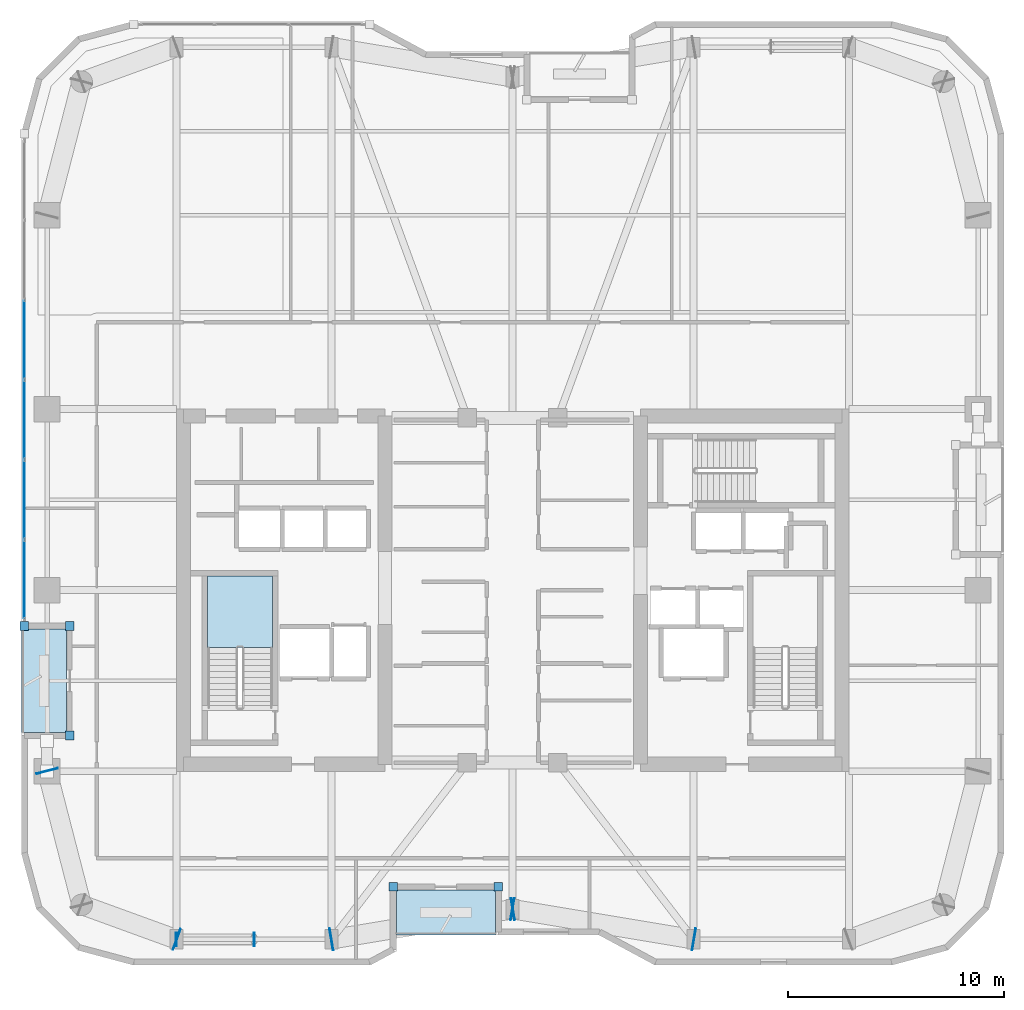
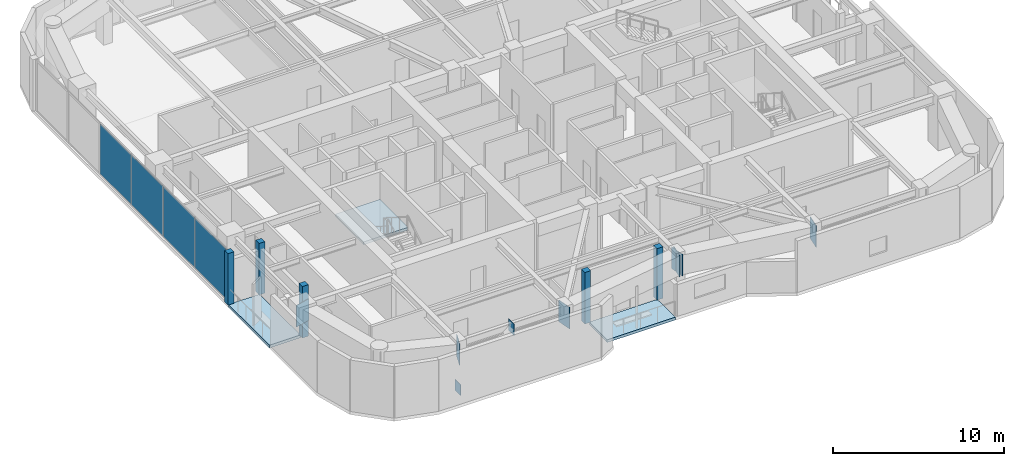
# One storey, part 12 of 21: 17 plates, 3 slabs, 2 elements without a shape of their own.
"""IFC4 building model written with IfcOpenShell, lengths in metres."""

from ifc_helpers import new_model, si_unit, direction, frame, origin, origin_2d, place, context, subcontext, project, spatial, polyline, rectangle, outline, extrude, material, layer, layer_set, type_object, element, aggregate, save


model = new_model("IFC4")

# Units and contexts
model_context = context("Model", 3, precision=1e-05, world=origin(), true_north=direction((0.0, 1.0)))
body_context = subcontext(model_context, "Body", "Model", "MODEL_VIEW")
ifc_project = project(units=[si_unit("LENGTHUNIT", "METRE"), si_unit("AREAUNIT", "SQUARE_METRE"), si_unit("VOLUMEUNIT", "CUBIC_METRE"), si_unit("PLANEANGLEUNIT", "RADIAN"), si_unit("MASSUNIT", "GRAM", prefix="KILO")], contexts=[model_context])

# Site, building, storey
site_placement = place(None, origin())
site = spatial("IfcSite", under=ifc_project, at=site_placement, CompositionType="ELEMENT")
building_placement = place(site_placement, origin())
building = spatial("IfcBuilding", under=site, at=building_placement, Name="Kiyonajd Concourse Tower", CompositionType="ELEMENT")
storey_placement = place(building_placement, frame((0.0, 0.0, 219.300048828125)))
storey = spatial("IfcBuildingStorey", under=building, at=storey_placement, Name="L55", CompositionType="ELEMENT", Elevation=219.300048828125)

# Plates
ifc_material_1 = material(Name="Steel ASTM A572 Grade 50", Category="steel")
ifc_layer_1 = layer(ifc_material_1, 0.028076171875)
ifc_layer_set_1 = layer_set([ifc_layer_1], Name="Steel ASTM A572 Grade 50")
plate_type_1 = type_object("IfcPlateType", Name="PL-CAP-450", PredefinedType="USERDEFINED", material=ifc_layer_set_1)
for number, where, z_axis, x_axis, name in (
    (1, (32.3916015625, 19.800048828125, -0.10888671875), (0.0, 0.0, 1.0), (-1.0, 0.0, 0.0), "L55 Hollow Brace End Cap Plate PBS"),
    (2, (36.00830078125, 19.800048828125, 2.93505859375), (0.0, 0.0, 1.0), (1.0, 0.0, 0.0), "L55 Hollow Brace Top Cap Plate PBS"),
):
    element("IfcPlate", number, at=place(storey_placement, frame(where, z_axis=z_axis, x_axis=x_axis)), inside=storey, type_object=plate_type_1, Name=name, ObjectType="CAP PLATE", PredefinedType="USERDEFINED", context=body_context, shape_type="SweptSolid", body=[
        extrude(rectangle(XDim=0.035888671875, YDim=0.6279296875, at=origin_2d()), origin(), (0.0, 0.0, 1.0), 0.803955078125),
    ])
ifc_layer_2 = layer(ifc_material_1, 0.031982421875)
ifc_layer_set_2 = layer_set([ifc_layer_2], Name="Steel ASTM A572 Grade 50")
plate_type_2 = type_object("IfcPlateType", Name="PL-CAP-540", PredefinedType="USERDEFINED", material=ifc_layer_set_2)
for number, where, z_axis, x_axis, name in (
    (3, (26.397216796875, 27.610595703125, 2.2099609375), (0.0, 0.0, 1.0), (-0.249873048837, 0.968278606324, 0.0), "L55 Welded Box Girder End Cap"),
    (4, (32.410400390625, 19.796142578125, 2.2099609375), (0.0, 0.0, 1.0), (0.939811951086, -0.341692107891, 0.0), "L55 Welded Box Girder End Cap"),
    (5, (39.589111328125, 19.798095703125, 2.2099609375), (0.0, 0.0, 1.0), (-0.986400586142, -0.164359008451, 0.0), "L55 Welded Box Girder End Cap"),
    (6, (48.010986328125, 21.201904296875, 2.2099609375), (0.0, 0.0, 1.0), (0.986400586142, 0.164359008451, 0.0), "L55 Welded Box Girder End Cap"),
    (7, (47.989013671875, 21.201904296875, 2.2099609375), (0.0, 0.0, 1.0), (-0.986400586142, 0.164359008451, 0.0), "L55 Welded Box Girder End Cap"),
    (8, (56.410888671875, 19.798095703125, 2.2099609375), (0.0, 0.0, 1.0), (0.986400586142, -0.164359008451, 0.0), "L55 Welded Box Girder End Cap"),
):
    element("IfcPlate", number, at=place(storey_placement, frame(where, z_axis=z_axis, x_axis=x_axis)), inside=storey, type_object=plate_type_2, Name=name, ObjectType="CAP PLATE", PredefinedType="USERDEFINED", context=body_context, shape_type="SweptSolid", body=[
        extrude(rectangle(XDim=0.035888671875, YDim=1.02001953125, at=origin_2d()), origin(), (0.0, 0.0, 1.0), 1.5400390625),
    ])

# Curtain wall, plates
ifc_material_2 = material(Name="Thermally Broken Anodised Aluminium", Category="aluminium")
ifc_layer_3 = layer(ifc_material_2, 0.179931640625)
ifc_layer_set_3 = layer_set([ifc_layer_3], Name="Thermally Broken Anodised Aluminium")
curtain_wall_type = type_object("IfcCurtainWallType", Name="CW-SYS-04", PredefinedType="NOTDEFINED", material=ifc_layer_set_3)
curtain_wall_placement = place(storey_placement, origin())
curtain_wall = element("IfcCurtainWall", 9, at=curtain_wall_placement, inside=storey, type_object=curtain_wall_type, Name="L55 Unitised Curtain Wall CW4", PredefinedType="NOTDEFINED")
ifc_material_3 = material(Name="Double Low-E Insulated Glass", Category="glass")
ifc_layer_4 = layer(ifc_material_3, 0.033935546875)
ifc_layer_set_4 = layer_set([ifc_layer_4], Name="Double Low-E Insulated Glass")
plate_type_3 = type_object("IfcPlateType", Name="PL-CW-VIS34", PredefinedType="CURTAIN_PANEL", material=ifc_layer_set_4)
plate_1_placement = place(storey_placement, frame((25.340087890625, 36.50146484375, 0.06494140625), z_axis=(0.0, 0.0, 1.0), x_axis=(0.0, 1.0, 0.0)))
plate_1 = element("IfcPlate", 10, at=plate_1_placement, type_object=plate_type_3, Name="CW4 panel 1.1", PredefinedType="CURTAIN_PANEL", context=body_context, shape_type="SweptSolid", body=[
    extrude(rectangle(XDim=3.61279296875, YDim=0.033935546875, at=origin_2d()), origin(), (0.0, 0.0, 1.0), 3.550048828125),
])
plate_2_placement = place(storey_placement, frame((25.340087890625, 40.1953125, 0.06494140625), z_axis=(0.0, 0.0, 1.0), x_axis=(0.0, 1.0, 0.0)))
plate_2 = element("IfcPlate", 11, at=plate_2_placement, type_object=plate_type_3, Name="CW4 panel 2.1", PredefinedType="CURTAIN_PANEL", context=body_context, shape_type="SweptSolid", body=[
    extrude(rectangle(XDim=3.645263671875, YDim=0.033935546875, at=origin_2d()), origin(), (0.0, 0.0, 1.0), 3.550048828125),
])
plate_3_placement = place(storey_placement, frame((25.340087890625, 43.90576171875, 0.06494140625), z_axis=(0.0, 0.0, 1.0), x_axis=(0.0, 1.0, 0.0)))
plate_3 = element("IfcPlate", 12, at=plate_3_placement, type_object=plate_type_3, Name="CW4 panel 3.1", PredefinedType="CURTAIN_PANEL", context=body_context, shape_type="SweptSolid", body=[
    extrude(rectangle(XDim=3.645263671875, YDim=0.033935546875, at=origin_2d()), origin(), (0.0, 0.0, 1.0), 3.550048828125),
])
plate_4_placement = place(storey_placement, frame((25.340087890625, 47.615966796875, 0.06494140625), z_axis=(0.0, 0.0, 1.0), x_axis=(0.0, 1.0, 0.0)))
plate_4 = element("IfcPlate", 13, at=plate_4_placement, type_object=plate_type_3, Name="CW4 panel 4.1", PredefinedType="CURTAIN_PANEL", context=body_context, shape_type="SweptSolid", body=[
    extrude(rectangle(XDim=3.645263671875, YDim=0.033935546875, at=origin_2d()), origin(), (0.0, 0.0, 1.0), 3.550048828125),
])
aggregate(curtain_wall, [plate_1, plate_2, plate_3, plate_4])

# Plates
ifc_layer_5 = layer(ifc_material_2, 0.39990234375)
ifc_layer_set_5 = layer_set([ifc_layer_5], Name="Thermally Broken Anodised Aluminium")
plate_type_4 = type_object("IfcPlateType", Name="PL-JMB-400", PredefinedType="USERDEFINED", material=ifc_layer_set_5)
for number, where, z_axis, x_axis, name in (
    (14, (27.43994140625, 29.260009765625, 0.0), (0.0, 0.0, 1.0), (1.0, 0.0, 0.0), "L55 Facade Jamb Closure Plate 01"),
    (15, (27.43994140625, 34.340087890625, 0.0), (0.0, 0.0, 1.0), (1.0, 0.0, 0.0), "L55 Facade Jamb Closure Plate 02"),
    (16, (25.340087890625, 34.340087890625, 0.0), (0.0, 0.0, 1.0), (1.0, 0.0, 0.0), "L55 Facade Jamb Closure Plate 03"),
    (17, (47.340087890625, 22.239990234375, 0.0), (0.0, 0.0, 1.0), (1.0, 0.0, 0.0), "L55 Facade Jamb Closure Plate 11"),
    (18, (42.4599609375, 22.239990234375, 0.0), (0.0, 0.0, 1.0), (1.0, 0.0, 0.0), "L55 Facade Jamb Closure Plate 12"),
):
    element("IfcPlate", number, at=place(storey_placement, frame(where, z_axis=z_axis, x_axis=x_axis)), inside=storey, type_object=plate_type_4, Name=name, ObjectType="JAMB PLATE", PredefinedType="USERDEFINED", context=body_context, shape_type="SweptSolid", body=[
        extrude(rectangle(XDim=0.39990234375, YDim=0.39990234375, at=origin_2d()), origin(), (0.0, 0.0, 1.0), 3.679931640625),
    ])

# Stair, slab
ifc_material_4 = material(Name="Concrete C40/50", Category="concrete")
stair_type = type_object("IfcStairType", Name="ST-DLG-22R", PredefinedType="HALF_TURN_STAIR", material=ifc_material_4)
stair_placement = place(storey_placement, origin())
stair = element("IfcStair", 19, at=stair_placement, inside=storey, type_object=stair_type, Name="L55 Protected Exit Stair ST1", PredefinedType="HALF_TURN_STAIR")
ifc_layer_6 = layer(ifc_material_4, 0.199951171875)
ifc_layer_set_6 = layer_set([ifc_layer_6], Name="Concrete C40/50")
slab_type_1 = type_object("IfcSlabType", Name="SL-LND-200", PredefinedType="LANDING", material=ifc_layer_set_6)
slab_1_placement = place(storey_placement, frame((0.0, 0.0, 1.75)))
slab_1 = element("IfcSlab", 20, at=slab_1_placement, type_object=slab_type_1, Name="ST1 landing 1", PredefinedType="LANDING", context=body_context, shape_type="SweptSolid", body=[
    extrude(outline(polyline([(36.85009765625, 33.35009765625), (36.85009765625, 36.64990234375), (33.85009765625, 36.64990234375), (33.85009765625, 33.35009765625), (36.85009765625, 33.35009765625)])), origin(), (0.0, 0.0, 1.0), 0.199951171875),
])
aggregate(stair, [slab_1])

# Slabs
ifc_material_5 = material(Name="Precast concrete C50/60", Category="concrete")
ifc_layer_7 = layer(ifc_material_5, 0.199951171875)
ifc_layer_set_7 = layer_set([ifc_layer_7], Name="Precast concrete C50/60")
slab_type_2 = type_object("IfcSlabType", Name="SL-LOG-200", PredefinedType="FLOOR", material=ifc_layer_set_7)
slab_2_placement = place(storey_placement, frame((0.0, 0.0, -0.199951171875)))
element("IfcSlab", 21, at=slab_2_placement, inside=storey, type_object=slab_type_2, Name="L55 Recessed Engawa Loggia Terrace Slab LOG-S", PredefinedType="FLOOR", context=body_context, shape_type="SweptSolid", body=[
    extrude(outline(polyline([(42.60009765625, 20.0), (47.199951171875, 20.0), (47.199951171875, 22.10009765625), (42.60009765625, 22.10009765625), (42.60009765625, 20.0)])), origin(), (0.0, 0.0, 1.0), 0.199951171875),
])
slab_3_placement = place(storey_placement, frame((0.0, 0.0, -0.199951171875)))
element("IfcSlab", 22, at=slab_3_placement, inside=storey, type_object=slab_type_2, Name="L55 Recessed Engawa Loggia Terrace Slab LOG-W", PredefinedType="FLOOR", context=body_context, shape_type="SweptSolid", body=[
    extrude(outline(polyline([(25.199951171875, 29.39990234375), (27.300048828125, 29.39990234375), (27.300048828125, 34.199951171875), (25.199951171875, 34.199951171875), (25.199951171875, 29.39990234375)])), origin(), (0.0, 0.0, 1.0), 0.199951171875),
])

save(model, "model.ifc")
